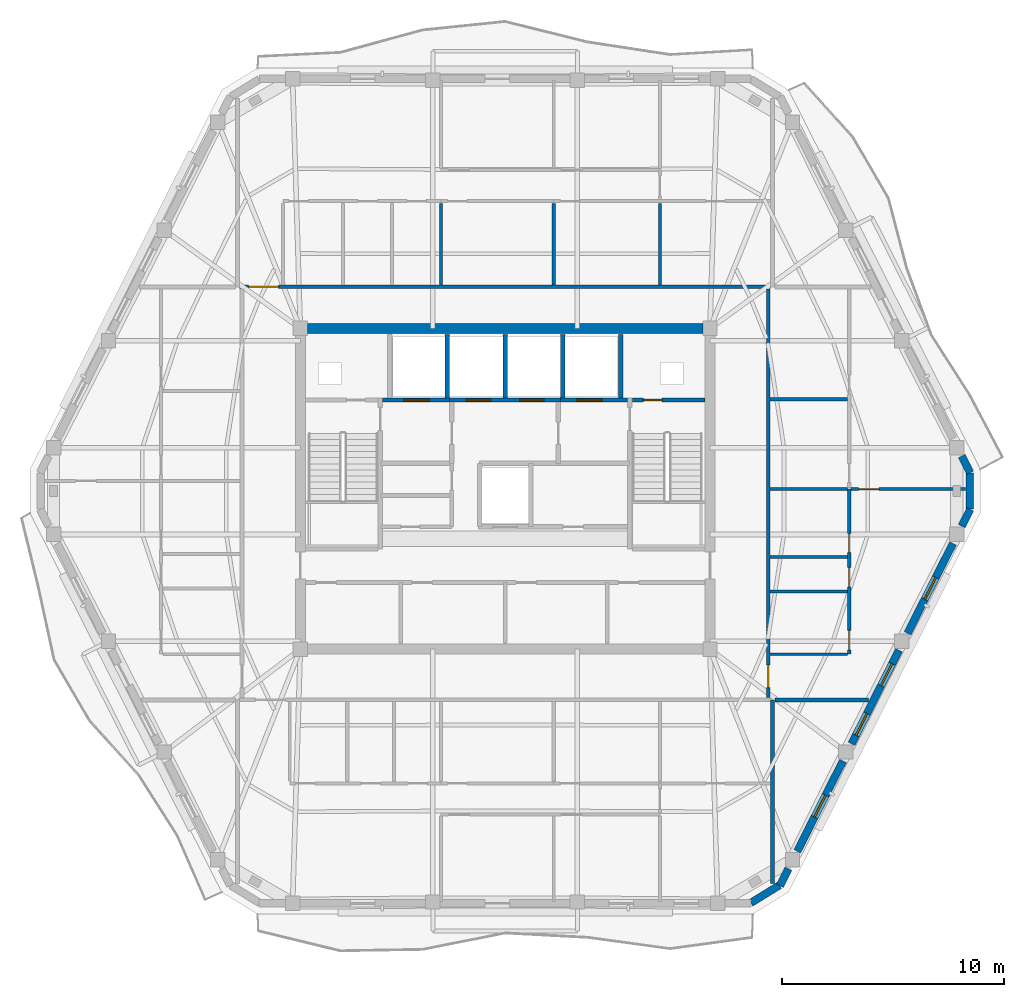
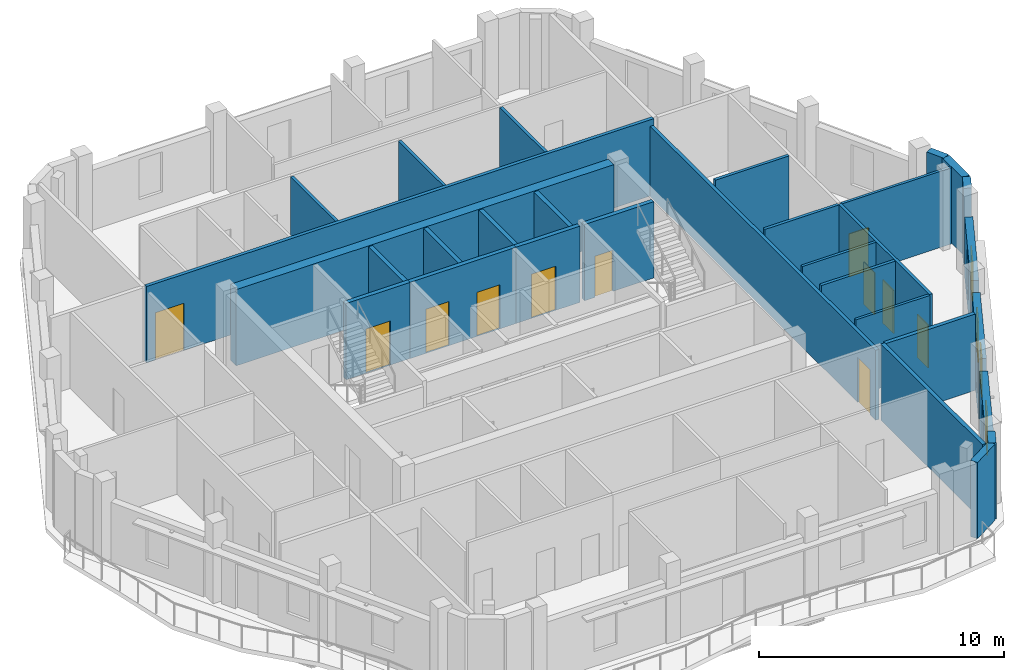
# One storey, part 6 of 11: 31 walls, 11 doors, 4 windows, 15 openings.
"""IFC4 building model written with IfcOpenShell, lengths in metres."""

from ifc_helpers import new_model, si_unit, direction, frame, frame_2d, origin, place, context, subcontext, project, spatial, rectangle, extrude, material, layer, layer_set, type_object, element, fill, save


model = new_model("IFC4")

# Units and contexts
model_context = context("Model", 3, precision=1e-05, world=origin(), true_north=direction((0.0, 1.0)))
body_context = subcontext(model_context, "Body", "Model", "MODEL_VIEW")
ifc_project = project(units=[si_unit("LENGTHUNIT", "METRE"), si_unit("AREAUNIT", "SQUARE_METRE"), si_unit("VOLUMEUNIT", "CUBIC_METRE"), si_unit("PLANEANGLEUNIT", "RADIAN"), si_unit("MASSUNIT", "GRAM", prefix="KILO")], contexts=[model_context])

# Site, building, storey
site_placement = place(None, origin())
site = spatial("IfcSite", under=ifc_project, at=site_placement, CompositionType="ELEMENT")
building_placement = place(site_placement, origin())
building = spatial("IfcBuilding", under=site, at=building_placement, Name="Cinnabar Lancet Tower", CompositionType="ELEMENT")
storey_placement = place(building_placement, frame((0.0, 0.0, 291.5)))
storey = spatial("IfcBuildingStorey", under=building, at=storey_placement, Name="L77", CompositionType="ELEMENT", Elevation=291.5)

# Wall, opening, door
ifc_material_1 = material(Name="Acoustic twin-stud gypsum partition", Category="gypsum")
ifc_layer_1 = layer(ifc_material_1, 0.159912109375)
ifc_layer_set_1 = layer_set([ifc_layer_1], Name="Acoustic twin-stud gypsum partition")
wall_type_1 = type_object("IfcWallType", Name="ARC-WL-CORR-160", PredefinedType="PARTITIONING", material=ifc_layer_set_1)
wall_1_placement = place(storey_placement, frame((20.445068359375, 35.0, 0.0), z_axis=(0.0, 0.0, 1.0), x_axis=(1.0, 0.0, 0.0)))
wall_1 = element("IfcWall", 1, at=wall_1_placement, inside=storey, type_object=wall_type_1, Name="L77 Unit N01 Corridor Wall", PredefinedType="PARTITIONING", context=body_context, shape_type="SweptSolid", body=[
    extrude(rectangle(XDim=23.909912109375, YDim=0.159912109375, at=frame_2d((11.955078125, 0.0))), origin(), (0.0, 0.0, 1.0), 3.800048828125),
])
opening_1_placement = place(wall_1_placement, frame((0.405029296875, 0.0, 0.0)))
opening_1 = element("IfcOpeningElement", 2, at=opening_1_placement, cuts=wall_1, Name="Opening UD-02", PredefinedType="OPENING", context=body_context, shape_type="SweptSolid", body=[
    extrude(rectangle(XDim=1.35009765625, YDim=2.35009765625, at=frame_2d((0.675048828125, 1.175048828125))), frame((0.0, 0.08984375, 0.0), z_axis=(0.0, -1.0, 0.0), x_axis=(1.0, 0.0, 0.0)), (0.0, 0.0, 1.0), 0.179931640625),
])
ifc_material_2 = material(Name="Double-leaf solid timber penthouse entrance door", Category="wood")
door_type_1 = type_object("IfcDoorType", Name="ARC-DR-UNIT-PH", OperationType="NOTDEFINED", PredefinedType="DOOR", material=ifc_material_2)
door_1_placement = place(opening_1_placement, origin())
door_1 = element("IfcDoor", 3, at=door_1_placement, inside=storey, type_object=door_type_1, Name="DR-L77-N01-ENT", OperationType="SINGLE_SWING_RIGHT", OverallHeight=2.35009765625, OverallWidth=1.35009765625, PredefinedType="DOOR", context=body_context, shape_type="SweptSolid", body=[
    extrude(rectangle(XDim=1.35009765625, YDim=2.35009765625, at=frame_2d((0.675048828125, 1.175048828125))), frame((0.0, 0.02490234375, 0.0), z_axis=(0.0, -1.0, 0.0), x_axis=(1.0, 0.0, 0.0)), (0.0, 0.0, 1.0), 0.050048828125),
])
fill(opening_1, door_1)

wall_2_placement = place(storey_placement, frame((44.25, 16.4951171875, 0.0), z_axis=(0.0, 0.0, 1.0), x_axis=(0.0, 1.0, 0.0)))
wall_2 = element("IfcWall", 4, at=wall_2_placement, inside=storey, type_object=wall_type_1, Name="UW-L77-E01-COR", PredefinedType="PARTITIONING", context=body_context, shape_type="SweptSolid", body=[
    extrude(rectangle(XDim=18.409912109375, YDim=0.159912109375, at=frame_2d((9.205078125, 0.0))), origin(), (0.0, 0.0, 1.0), 3.487060546875),
])
opening_2_placement = place(wall_2_placement, frame((0.449951171875, 0.0, 0.0)))
opening_2 = element("IfcOpeningElement", 5, at=opening_2_placement, cuts=wall_2, Name="Opening UD-01", PredefinedType="OPENING", context=body_context, shape_type="SweptSolid", body=[
    extrude(rectangle(XDim=1.02001953125, YDim=2.25, at=frame_2d((0.510009765625, 1.125))), frame((0.0, 0.08984375, 0.0), z_axis=(0.0, -1.0, 0.0), x_axis=(1.0, 0.0, 0.0)), (0.0, 0.0, 1.0), 0.179931640625),
])
ifc_material_3 = material(Name="Solid timber fire-rated apartment entrance door", Category="wood")
door_type_2 = type_object("IfcDoorType", Name="ARC-DR-UNIT", OperationType="NOTDEFINED", PredefinedType="DOOR", material=ifc_material_3)
door_2_placement = place(opening_2_placement, origin())
door_2 = element("IfcDoor", 6, at=door_2_placement, inside=storey, type_object=door_type_2, Name="DR-L77-E01-ENT", OperationType="SINGLE_SWING_RIGHT", OverallHeight=2.25, OverallWidth=1.02001953125, PredefinedType="DOOR", context=body_context, shape_type="SweptSolid", body=[
    extrude(rectangle(XDim=1.02001953125, YDim=2.25, at=frame_2d((0.510009765625, 1.125))), frame((0.0, 0.02490234375, 0.0), z_axis=(0.0, -1.0, 0.0), x_axis=(1.0, 0.0, 0.0)), (0.0, 0.0, 1.0), 0.050048828125),
])
fill(opening_2, door_2)

# Walls
ifc_material_4 = material(Name="Fire-rated twin-frame acoustic drywall", Category="gypsum")
ifc_layer_2 = layer(ifc_material_4, 0.179931640625)
ifc_layer_set_2 = layer_set([ifc_layer_2], Name="Fire-rated twin-frame acoustic drywall")
wall_type_2 = type_object("IfcWallType", Name="ARC-WL-PARTY-180", PredefinedType="PARTITIONING", material=ifc_layer_set_2)
wall_3_placement = place(storey_placement, frame((44.449951171875, 8.118896484375, 0.0), z_axis=(0.0, 0.0, 1.0), x_axis=(0.0, 1.0, 0.0)))
element("IfcWall", 7, at=wall_3_placement, inside=storey, type_object=wall_type_2, Name="PW-L77-SPTY-444", PredefinedType="PARTITIONING", context=body_context, shape_type="SweptSolid", body=[
    extrude(rectangle(XDim=8.281005859375, YDim=0.179931640625, at=frame_2d((4.140625, 0.0))), origin(), (0.0, 0.0, 1.0), 3.800048828125),
])
wall_4_placement = place(storey_placement, frame((44.544921875, 16.39990234375, 0.0), z_axis=(0.0, 0.0, 1.0), x_axis=(1.0, 0.0, 0.0)))
element("IfcWall", 8, at=wall_4_placement, inside=storey, type_object=wall_type_2, Name="PW-L77-ESB", PredefinedType="PARTITIONING", context=body_context, shape_type="SweptSolid", body=[
    extrude(rectangle(XDim=4.22119140625, YDim=0.179931640625, at=frame_2d((2.110595703125, 0.0))), origin(), (0.0, 0.0, 1.0), 3.800048828125),
])

# Wall, opening, door
ifc_material_5 = material(Name="Autoclaved aerated concrete blockwork", Category="masonry")
ifc_layer_3 = layer(ifc_material_5, 0.199951171875)
ifc_layer_set_3 = layer_set([ifc_layer_3], Name="Autoclaved aerated concrete blockwork")
wall_type_3 = type_object("IfcWallType", Name="ARC-WL-SHAFT-200", PredefinedType="PLUMBINGWALL", material=ifc_layer_set_3)
wall_5_placement = place(storey_placement, frame((26.885009765625, 29.89990234375, 0.0), z_axis=(0.0, 0.0, 1.0), x_axis=(1.0, 0.0, 0.0)))
wall_5 = element("IfcWall", 9, at=wall_5_placement, inside=storey, type_object=wall_type_3, Name="CW-FL1-L77", PredefinedType="PLUMBINGWALL", context=body_context, shape_type="SweptSolid", body=[
    extrude(rectangle(XDim=3.014892578125, YDim=0.199951171875, at=frame_2d((1.50732421875, 0.0))), origin(), (0.0, 0.0, 1.0), 3.800048828125),
])
opening_3_placement = place(wall_5_placement, frame((0.93994140625, 0.0, 0.0)))
opening_3 = element("IfcOpeningElement", 10, at=opening_3_placement, cuts=wall_5, Name="Opening LD-02", PredefinedType="OPENING", context=body_context, shape_type="SweptSolid", body=[
    extrude(rectangle(XDim=1.14990234375, YDim=2.199951171875, at=frame_2d((0.574951171875, 1.10009765625))), frame((0.0, 0.10986328125, 0.0), z_axis=(0.0, -1.0, 0.0), x_axis=(1.0, 0.0, 0.0)), (0.0, 0.0, 1.0), 0.219970703125),
])
ifc_material_6 = material(Name="Fire-rated stainless steel firefighting lift landing door", Category="steel")
door_type_3 = type_object("IfcDoorType", Name="ARC-DR-LD-FIRE", OperationType="NOTDEFINED", PredefinedType="DOOR", material=ifc_material_6)
door_3_placement = place(opening_3_placement, origin())
door_3 = element("IfcDoor", 11, at=door_3_placement, inside=storey, type_object=door_type_3, Name="L77 Firefighting Lift FL-1 Landing Door", OperationType="DOUBLE_DOOR_SLIDING", OverallHeight=2.199951171875, OverallWidth=1.14990234375, PredefinedType="DOOR", context=body_context, shape_type="SweptSolid", body=[
    extrude(rectangle(XDim=1.14990234375, YDim=2.199951171875, at=frame_2d((0.574951171875, 1.10009765625))), frame((0.0, 0.02490234375, 0.0), z_axis=(0.0, -1.0, 0.0), x_axis=(1.0, 0.0, 0.0)), (0.0, 0.0, 1.0), 0.050048828125),
])
fill(opening_3, door_3)

# Wall, openings, doors
wall_6_placement = place(storey_placement, frame((29.89990234375, 29.89990234375, 0.0), z_axis=(0.0, 0.0, 1.0), x_axis=(1.0, 0.0, 0.0)))
wall_6 = element("IfcWall", 12, at=wall_6_placement, inside=storey, type_object=wall_type_3, Name="CW-PL78-L77", PredefinedType="PLUMBINGWALL", context=body_context, shape_type="SweptSolid", body=[
    extrude(rectangle(XDim=5.0, YDim=0.199951171875, at=frame_2d((2.5, 0.0))), origin(), (0.0, 0.0, 1.0), 3.800048828125),
])
opening_4_placement = place(wall_6_placement, frame((0.75, 0.0, 0.0)))
opening_4 = element("IfcOpeningElement", 13, at=opening_4_placement, cuts=wall_6, Name="Opening LD-01", PredefinedType="OPENING", context=body_context, shape_type="SweptSolid", body=[
    extrude(rectangle(XDim=1.10009765625, YDim=2.199951171875, at=frame_2d((0.550048828125, 1.10009765625))), frame((0.0, 0.10986328125, 0.0), z_axis=(0.0, -1.0, 0.0), x_axis=(1.0, 0.0, 0.0)), (0.0, 0.0, 1.0), 0.219970703125),
])
opening_5_placement = place(wall_6_placement, frame((3.14990234375, 0.0, 0.0)))
opening_5 = element("IfcOpeningElement", 14, at=opening_5_placement, cuts=wall_6, Name="Opening LD-01", PredefinedType="OPENING", context=body_context, shape_type="SweptSolid", body=[
    extrude(rectangle(XDim=1.10009765625, YDim=2.199951171875, at=frame_2d((0.550048828125, 1.10009765625))), frame((0.0, 0.10986328125, 0.0), z_axis=(0.0, -1.0, 0.0), x_axis=(1.0, 0.0, 0.0)), (0.0, 0.0, 1.0), 0.219970703125),
])
ifc_material_7 = material(Name="Brushed stainless steel sliding lift door", Category="steel")
door_type_4 = type_object("IfcDoorType", Name="ARC-DR-LD-PASS", OperationType="NOTDEFINED", PredefinedType="DOOR", material=ifc_material_7)
door_4_placement = place(opening_4_placement, origin())
door_4 = element("IfcDoor", 15, at=door_4_placement, inside=storey, type_object=door_type_4, Name="L77 Lift PL-7 Landing Door", OperationType="DOUBLE_DOOR_SLIDING", OverallHeight=2.199951171875, OverallWidth=1.10009765625, PredefinedType="DOOR", context=body_context, shape_type="SweptSolid", body=[
    extrude(rectangle(XDim=1.10009765625, YDim=2.199951171875, at=frame_2d((0.550048828125, 1.10009765625))), frame((0.0, 0.02490234375, 0.0), z_axis=(0.0, -1.0, 0.0), x_axis=(1.0, 0.0, 0.0)), (0.0, 0.0, 1.0), 0.050048828125),
])
fill(opening_4, door_4)
door_5_placement = place(opening_5_placement, origin())
door_5 = element("IfcDoor", 16, at=door_5_placement, inside=storey, type_object=door_type_4, Name="L77 Lift PL-8 Landing Door", OperationType="DOUBLE_DOOR_SLIDING", OverallHeight=2.199951171875, OverallWidth=1.10009765625, PredefinedType="DOOR", context=body_context, shape_type="SweptSolid", body=[
    extrude(rectangle(XDim=1.10009765625, YDim=2.199951171875, at=frame_2d((0.550048828125, 1.10009765625))), frame((0.0, 0.02490234375, 0.0), z_axis=(0.0, -1.0, 0.0), x_axis=(1.0, 0.0, 0.0)), (0.0, 0.0, 1.0), 0.050048828125),
])
fill(opening_5, door_5)

# Wall, opening, door
wall_7_placement = place(storey_placement, frame((34.89990234375, 29.89990234375, 0.0), z_axis=(0.0, 0.0, 1.0), x_axis=(1.0, 0.0, 0.0)))
wall_7 = element("IfcWall", 17, at=wall_7_placement, inside=storey, type_object=wall_type_3, Name="CW-FL2-L77", PredefinedType="PLUMBINGWALL", context=body_context, shape_type="SweptSolid", body=[
    extrude(rectangle(XDim=3.01513671875, YDim=0.199951171875, at=frame_2d((1.507568359375, 0.0))), origin(), (0.0, 0.0, 1.0), 3.800048828125),
])
opening_6_placement = place(wall_7_placement, frame((0.72509765625, 0.0, 0.0)))
opening_6 = element("IfcOpeningElement", 18, at=opening_6_placement, cuts=wall_7, Name="Opening LD-02", PredefinedType="OPENING", context=body_context, shape_type="SweptSolid", body=[
    extrude(rectangle(XDim=1.14990234375, YDim=2.199951171875, at=frame_2d((0.574951171875, 1.10009765625))), frame((0.0, 0.10986328125, 0.0), z_axis=(0.0, -1.0, 0.0), x_axis=(1.0, 0.0, 0.0)), (0.0, 0.0, 1.0), 0.219970703125),
])
door_6_placement = place(opening_6_placement, origin())
door_6 = element("IfcDoor", 19, at=door_6_placement, inside=storey, type_object=door_type_3, Name="L77 Firefighting Lift FL-2 Landing Door", OperationType="DOUBLE_DOOR_SLIDING", OverallHeight=2.199951171875, OverallWidth=1.14990234375, PredefinedType="DOOR", context=body_context, shape_type="SweptSolid", body=[
    extrude(rectangle(XDim=1.14990234375, YDim=2.199951171875, at=frame_2d((0.574951171875, 1.10009765625))), frame((0.0, 0.02490234375, 0.0), z_axis=(0.0, -1.0, 0.0), x_axis=(1.0, 0.0, 0.0)), (0.0, 0.0, 1.0), 0.050048828125),
])
fill(opening_6, door_6)

wall_8_placement = place(storey_placement, frame((38.125, 29.89990234375, 0.0), z_axis=(0.0, 0.0, 1.0), x_axis=(1.0, 0.0, 0.0)))
wall_8 = element("IfcWall", 20, at=wall_8_placement, inside=storey, type_object=wall_type_3, Name="CW-NSH-E-L77", PredefinedType="PLUMBINGWALL", context=body_context, shape_type="SweptSolid", body=[
    extrude(rectangle(XDim=3.27001953125, YDim=0.199951171875, at=frame_2d((1.635009765625, 0.0))), origin(), (0.0, 0.0, 1.0), 3.800048828125),
])
opening_7_placement = place(wall_8_placement, frame((0.5, 0.0, 0.0)))
opening_7 = element("IfcOpeningElement", 21, at=opening_7_placement, cuts=wall_8, Name="Opening PD-02", PredefinedType="OPENING", context=body_context, shape_type="SweptSolid", body=[
    extrude(rectangle(XDim=0.85009765625, YDim=2.050048828125, at=frame_2d((0.425048828125, 1.02490234375))), frame((0.0, 0.10986328125, 0.0), z_axis=(0.0, -1.0, 0.0), x_axis=(1.0, 0.0, 0.0)), (0.0, 0.0, 1.0), 0.219970703125),
])
ifc_material_8 = material(Name="Fire-rated steel riser access door", Category="steel")
door_type_5 = type_object("IfcDoorType", Name="ARC-DR-RISER", OperationType="NOTDEFINED", PredefinedType="DOOR", material=ifc_material_8)
door_7_placement = place(opening_7_placement, origin())
door_7 = element("IfcDoor", 22, at=door_7_placement, inside=storey, type_object=door_type_5, Name="L77 East Riser Access Door", OperationType="SINGLE_SWING_RIGHT", OverallHeight=2.050048828125, OverallWidth=0.85009765625, PredefinedType="DOOR", context=body_context, shape_type="SweptSolid", body=[
    extrude(rectangle(XDim=0.85009765625, YDim=2.050048828125, at=frame_2d((0.425048828125, 1.02490234375))), frame((0.0, 0.02490234375, 0.0), z_axis=(0.0, -1.0, 0.0), x_axis=(1.0, 0.0, 0.0)), (0.0, 0.0, 1.0), 0.050048828125),
])
fill(opening_7, door_7)

# Walls
for number, where, z_axis, x_axis, name in (
    (23, (29.800048828125, 30.0, 0.0), (0.0, 0.0, 1.0), (0.0, 1.0, 0.0), "CW-NSH-D2-L77"),
    (24, (32.39990234375, 30.0, 0.0), (0.0, 0.0, 1.0), (0.0, 1.0, 0.0), "CW-NSH-D3-L77"),
    (25, (35.0, 30.0, 0.0), (0.0, 0.0, 1.0), (0.0, 1.0, 0.0), "CW-NSH-D4-L77"),
    (26, (37.60009765625, 30.0, 0.0), (0.0, 0.0, 1.0), (0.0, 1.0, 0.0), "CW-NSH-D5-L77"),
):
    element("IfcWall", number, at=place(storey_placement, frame(where, z_axis=z_axis, x_axis=x_axis)), inside=storey, type_object=wall_type_3, Name=name, PredefinedType="PLUMBINGWALL", context=body_context, shape_type="SweptSolid", body=[
        extrude(rectangle(XDim=2.85009765625, YDim=0.199951171875, at=frame_2d((1.425048828125, 0.0))), origin(), (0.0, 0.0, 1.0), 3.800048828125),
    ])
ifc_material_9 = material(Name="Gypsum plasterboard stud partition", Category="gypsum")
ifc_layer_4 = layer(ifc_material_9, 0.125)
ifc_layer_set_4 = layer_set([ifc_layer_4], Name="Gypsum plasterboard stud partition")
wall_type_4 = type_object("IfcWallType", Name="ARC-WL-UNIT-125", PredefinedType="PARTITIONING", material=ifc_layer_set_4)
wall_9_placement = place(storey_placement, frame((44.3349609375, 18.449951171875, 0.0), z_axis=(0.0, 0.0, 1.0), x_axis=(1.0, 0.0, 0.0)))
element("IfcWall", 27, at=wall_9_placement, inside=storey, type_object=wall_type_4, Name="UW-L77-E01-FOYN", PredefinedType="PARTITIONING", context=body_context, shape_type="SweptSolid", body=[
    extrude(rectangle(XDim=3.47998046875, YDim=0.125, at=frame_2d((1.739990234375, 0.0))), origin(), (0.0, 0.0, 1.0), 3.800048828125),
])

# Wall, opening, door
wall_10_placement = place(storey_placement, frame((47.97509765625, 25.885986328125, 0.0), z_axis=(0.0, 0.0, 1.0), x_axis=(1.0, 0.0, 0.0)))
wall_10 = element("IfcWall", 28, at=wall_10_placement, inside=storey, type_object=wall_type_4, Name="UW-L77-E01-MBN", PredefinedType="PARTITIONING", context=body_context, shape_type="SweptSolid", body=[
    extrude(rectangle(XDim=5.164794921875, YDim=0.125, at=frame_2d((2.58251953125, 0.0))), origin(), (0.0, 0.0, 1.0), 3.800048828125),
])
opening_8_placement = place(wall_10_placement, frame((0.35009765625, 0.0, 0.0)))
opening_8 = element("IfcOpeningElement", 29, at=opening_8_placement, cuts=wall_10, Name="Opening RD-01", PredefinedType="OPENING", context=body_context, shape_type="SweptSolid", body=[
    extrude(rectangle(XDim=0.919921875, YDim=2.14990234375, at=frame_2d((0.4599609375, 1.074951171875))), frame((0.0, 0.072509765625, 0.0), z_axis=(0.0, -1.0, 0.0), x_axis=(1.0, 0.0, 0.0)), (0.0, 0.0, 1.0), 0.14501953125),
])
ifc_material_10 = material(Name="Engineered timber bedroom door", Category="wood")
door_type_6 = type_object("IfcDoorType", Name="ARC-DR-ROOM", OperationType="NOTDEFINED", PredefinedType="DOOR", material=ifc_material_10)
door_8_placement = place(opening_8_placement, origin())
door_8 = element("IfcDoor", 30, at=door_8_placement, inside=storey, type_object=door_type_6, Name="DR-L77-E01-MBD", OperationType="SINGLE_SWING_RIGHT", OverallHeight=2.14990234375, OverallWidth=0.919921875, PredefinedType="DOOR", context=body_context, shape_type="SweptSolid", body=[
    extrude(rectangle(XDim=0.919921875, YDim=2.14990234375, at=frame_2d((0.4599609375, 1.074951171875))), frame((0.0, 0.02490234375, 0.0), z_axis=(0.0, -1.0, 0.0), x_axis=(1.0, 0.0, 0.0)), (0.0, 0.0, 1.0), 0.050048828125),
])
fill(opening_8, door_8)

# Walls
wall_11_placement = place(storey_placement, frame((44.3349609375, 22.825927734375, 0.0), z_axis=(0.0, 0.0, 1.0), x_axis=(1.0, 0.0, 0.0)))
element("IfcWall", 31, at=wall_11_placement, inside=storey, type_object=wall_type_4, Name="UW-L77-E01-UDV", PredefinedType="PARTITIONING", context=body_context, shape_type="SweptSolid", body=[
    extrude(rectangle(XDim=3.47998046875, YDim=0.125, at=frame_2d((1.739990234375, 0.0))), origin(), (0.0, 0.0, 1.0), 3.800048828125),
])
ifc_material_11 = material(Name="Moisture-resistant cement-board plumbing wall", Category="masonry")
ifc_layer_5 = layer(ifc_material_11, 0.139892578125)
ifc_layer_set_5 = layer_set([ifc_layer_5], Name="Moisture-resistant cement-board plumbing wall")
wall_type_5 = type_object("IfcWallType", Name="ARC-WL-WET-140", PredefinedType="PLUMBINGWALL", material=ifc_layer_set_5)
for number, where, z_axis, x_axis, name in (
    (32, (29.508056640625, 35.0849609375, 0.0), (0.0, 0.0, 1.0), (0.0, 1.0, 0.0), "UW-L77-N01-ENSW"),
    (33, (34.587890625, 35.0849609375, 0.0), (0.0, 0.0, 1.0), (0.0, 1.0, 0.0), "UW-L77-N01-ENSE"),
    (34, (39.3701171875, 35.0849609375, 0.0), (0.0, 0.0, 1.0), (0.0, 1.0, 0.0), "UW-L77-N01-UT3"),
):
    element("IfcWall", number, at=place(storey_placement, frame(where, z_axis=z_axis, x_axis=x_axis)), inside=storey, type_object=wall_type_5, Name=name, PredefinedType="PLUMBINGWALL", context=body_context, shape_type="SweptSolid", body=[
        extrude(rectangle(XDim=3.66796875, YDim=0.139892578125, at=frame_2d((1.833984375, 0.0))), origin(), (0.0, 0.0, 1.0), 3.800048828125),
    ])

# Wall, openings, doors
wall_12_placement = place(storey_placement, frame((47.89990234375, 18.449951171875, 0.0), z_axis=(0.0, 0.0, 1.0), x_axis=(0.0, 1.0, 0.0)))
wall_12 = element("IfcWall", 35, at=wall_12_placement, inside=storey, type_object=wall_type_5, Name="UW-L77-E01-SPL", PredefinedType="PLUMBINGWALL", context=body_context, shape_type="SweptSolid", body=[
    extrude(rectangle(XDim=7.43603515625, YDim=0.139892578125, at=frame_2d((3.718017578125, 0.0))), origin(), (0.0, 0.0, 1.0), 3.800048828125),
])
opening_9_placement = place(wall_12_placement, frame((0.199951171875, 0.0, 0.0)))
opening_9 = element("IfcOpeningElement", 36, at=opening_9_placement, cuts=wall_12, Name="Opening RD-02", PredefinedType="OPENING", context=body_context, shape_type="SweptSolid", body=[
    extrude(rectangle(XDim=0.8798828125, YDim=2.14990234375, at=frame_2d((0.43994140625, 1.074951171875))), frame((0.0, 0.079833984375, 0.0), z_axis=(0.0, -1.0, 0.0), x_axis=(1.0, 0.0, 0.0)), (0.0, 0.0, 1.0), 0.159912109375),
])
opening_10_placement = place(wall_12_placement, frame((3.02587890625, 0.0, 0.0)))
opening_10 = element("IfcOpeningElement", 37, at=opening_10_placement, cuts=wall_12, Name="Opening RD-02", PredefinedType="OPENING", context=body_context, shape_type="SweptSolid", body=[
    extrude(rectangle(XDim=0.8798828125, YDim=2.14990234375, at=frame_2d((0.43994140625, 1.074951171875))), frame((0.0, 0.079833984375, 0.0), z_axis=(0.0, -1.0, 0.0), x_axis=(1.0, 0.0, 0.0)), (0.0, 0.0, 1.0), 0.159912109375),
])
opening_11_placement = place(wall_12_placement, frame((4.575927734375, 0.0, 0.0)))
opening_11 = element("IfcOpeningElement", 38, at=opening_11_placement, cuts=wall_12, Name="Opening BD-01", PredefinedType="OPENING", context=body_context, shape_type="SweptSolid", body=[
    extrude(rectangle(XDim=0.860107421875, YDim=2.10009765625, at=frame_2d((0.43017578125, 1.050048828125))), frame((0.0, 0.079833984375, 0.0), z_axis=(0.0, -1.0, 0.0), x_axis=(1.0, 0.0, 0.0)), (0.0, 0.0, 1.0), 0.159912109375),
])
ifc_material_12 = material(Name="Moisture-resistant timber bathroom door", Category="wood")
door_type_7 = type_object("IfcDoorType", Name="ARC-DR-BATH", OperationType="NOTDEFINED", PredefinedType="DOOR", material=ifc_material_12)
door_9_placement = place(opening_11_placement, origin())
door_9 = element("IfcDoor", 39, at=door_9_placement, inside=storey, type_object=door_type_7, Name="DR-L77-E01-BTH", OperationType="SINGLE_SWING_LEFT", OverallHeight=2.10009765625, OverallWidth=0.860107421875, PredefinedType="DOOR", context=body_context, shape_type="SweptSolid", body=[
    extrude(rectangle(XDim=0.860107421875, YDim=2.10009765625, at=frame_2d((0.43017578125, 1.050048828125))), frame((0.0, 0.02490234375, 0.0), z_axis=(0.0, -1.0, 0.0), x_axis=(1.0, 0.0, 0.0)), (0.0, 0.0, 1.0), 0.050048828125),
])
fill(opening_11, door_9)
ifc_material_13 = material(Name="Engineered timber study door", Category="wood")
door_type_8 = type_object("IfcDoorType", Name="ARC-DR-STUDY", OperationType="NOTDEFINED", PredefinedType="DOOR", material=ifc_material_13)
door_10_placement = place(opening_9_placement, origin())
door_10 = element("IfcDoor", 40, at=door_10_placement, inside=storey, type_object=door_type_8, Name="DR-L77-E01-KIT", OperationType="SINGLE_SWING_LEFT", OverallHeight=2.14990234375, OverallWidth=0.8798828125, PredefinedType="DOOR", context=body_context, shape_type="SweptSolid", body=[
    extrude(rectangle(XDim=0.8798828125, YDim=2.14990234375, at=frame_2d((0.43994140625, 1.074951171875))), frame((0.0, 0.02490234375, 0.0), z_axis=(0.0, -1.0, 0.0), x_axis=(1.0, 0.0, 0.0)), (0.0, 0.0, 1.0), 0.050048828125),
])
fill(opening_9, door_10)
door_11_placement = place(opening_10_placement, origin())
door_11 = element("IfcDoor", 41, at=door_11_placement, inside=storey, type_object=door_type_8, Name="DR-L77-E01-UTL", OperationType="SINGLE_SWING_RIGHT", OverallHeight=2.14990234375, OverallWidth=0.8798828125, PredefinedType="DOOR", context=body_context, shape_type="SweptSolid", body=[
    extrude(rectangle(XDim=0.8798828125, YDim=2.14990234375, at=frame_2d((0.43994140625, 1.074951171875))), frame((0.0, 0.02490234375, 0.0), z_axis=(0.0, -1.0, 0.0), x_axis=(1.0, 0.0, 0.0)), (0.0, 0.0, 1.0), 0.050048828125),
])
fill(opening_10, door_11)

# Walls
for number, where, z_axis, x_axis, name in (
    (42, (44.3349609375, 25.885986328125, 0.0), (0.0, 0.0, 1.0), (1.0, 0.0, 0.0), "UW-L77-E01-ENSN"),
    (43, (44.3349609375, 21.27587890625, 0.0), (0.0, 0.0, 1.0), (1.0, 0.0, 0.0), "UW-L77-E01-KDV"),
    (44, (44.3349609375, 29.93310546875, 0.0), (0.0, 0.0, 1.0), (1.0, 0.0, 0.0), "UW-L77-E01-EWDV"),
):
    element("IfcWall", number, at=place(storey_placement, frame(where, z_axis=z_axis, x_axis=x_axis)), inside=storey, type_object=wall_type_5, Name=name, PredefinedType="PLUMBINGWALL", context=body_context, shape_type="SweptSolid", body=[
        extrude(rectangle(XDim=3.47998046875, YDim=0.139892578125, at=frame_2d((1.739990234375, 0.0))), origin(), (0.0, 0.0, 1.0), 3.800048828125),
    ])
ifc_material_14 = material(Name="Cinnabar red clay brick", Category="masonry")
ifc_layer_6 = layer(ifc_material_14, 0.340087890625)
ifc_layer_set_6 = layer_set([ifc_layer_6], Name="Cinnabar red clay brick")
wall_type_6 = type_object("IfcWallType", Name="ENV-WL-BRK-RED-340", PredefinedType="STANDARD", material=ifc_layer_set_6)
wall_13_placement = place(storey_placement, frame((43.468994140625, 7.2548828125, 0.0), z_axis=(0.0, 0.0, 1.0), x_axis=(0.851680557619, 0.52406128246, 0.0)))
element("IfcWall", 45, at=wall_13_placement, inside=storey, type_object=wall_type_6, Name="L77 Chamfered Corner Brick Pier 2.1", PredefinedType="STANDARD", context=body_context, shape_type="SweptSolid", body=[
    extrude(rectangle(XDim=1.507568359375, YDim=0.340087890625, at=frame_2d((0.75390625, 0.0))), origin(), (0.0, 0.0, 1.0), 3.800048828125),
])
wall_14_placement = place(storey_placement, frame((53.322998046875, 24.97998046875, 0.0), z_axis=(0.0, 0.0, 1.0), x_axis=(0.0, 1.0, 0.0)))
element("IfcWall", 46, at=wall_14_placement, inside=storey, type_object=wall_type_6, Name="L77 Chamfered Corner Brick Pier 3.1", PredefinedType="STANDARD", context=body_context, shape_type="SweptSolid", body=[
    extrude(rectangle(XDim=1.64013671875, YDim=0.340087890625, at=frame_2d((0.820068359375, 0.0))), origin(), (0.0, 0.0, 1.0), 3.800048828125),
])
wall_15_placement = place(storey_placement, frame((44.77294921875, 8.029052734375, 0.0), z_axis=(0.0, 0.0, 1.0), x_axis=(0.451907025977, 0.8920650424, 0.0)))
element("IfcWall", 47, at=wall_15_placement, inside=storey, type_object=wall_type_6, Name="L77 Face 2 Masonry Bay Wall 1", PredefinedType="STANDARD", context=body_context, shape_type="SweptSolid", body=[
    extrude(rectangle(XDim=0.85205078125, YDim=0.340087890625, at=frame_2d((0.426025390625, 0.0))), origin(), (0.0, 0.0, 1.0), 3.800048828125),
])

# Wall, opening, window
wall_16_placement = place(storey_placement, frame((45.555908203125, 9.576904296875, 0.0), z_axis=(0.0, 0.0, 1.0), x_axis=(0.45154039276, 0.892250678737, 0.0)))
wall_16 = element("IfcWall", 48, at=wall_16_placement, inside=storey, type_object=wall_type_6, Name="L77 Face 2 Masonry Bay Wall 2", PredefinedType="STANDARD", context=body_context, shape_type="SweptSolid", body=[
    extrude(rectangle(XDim=4.5537109375, YDim=0.340087890625, at=frame_2d((2.27685546875, 0.0))), origin(), (0.0, 0.0, 1.0), 2.989990234375),
])
opening_12_placement = place(wall_16_placement, frame((1.72705078125, 0.0, 0.75)))
opening_12 = element("IfcOpeningElement", 49, at=opening_12_placement, cuts=wall_16, Name="Opening WN-04", PredefinedType="OPENING", context=body_context, shape_type="SweptSolid", body=[
    extrude(rectangle(XDim=1.10009765625, YDim=2.0, at=frame_2d((0.550048828125, 1.0))), frame((0.0, 0.179931640625, 0.0), z_axis=(0.0, -1.0, 0.0), x_axis=(1.0, 0.0, 0.0)), (0.0, 0.0, 1.0), 0.360107421875),
])
ifc_material_15 = material(Name="Thermally broken bronze-anodized aluminium tall lancet window", Category="aluminium")
window_type = type_object("IfcWindowType", Name="ENV-WN-LANCET-1100", PartitioningType="SINGLE_PANEL", PredefinedType="WINDOW", material=ifc_material_15)
window_1_placement = place(opening_12_placement, origin())
window_1 = element("IfcWindow", 50, at=window_1_placement, inside=storey, type_object=window_type, Name="L77 Face 2 Gothic Lancet Window 2", OverallHeight=2.0, OverallWidth=1.10009765625, PartitioningType="SINGLE_PANEL", PredefinedType="WINDOW", context=body_context, shape_type="SweptSolid", body=[
    extrude(rectangle(XDim=1.10009765625, YDim=2.0, at=frame_2d((0.550048828125, 1.0))), frame((0.0, 0.030029296875, 0.0), z_axis=(0.0, -1.0, 0.0), x_axis=(1.0, 0.0, 0.0)), (0.0, 0.0, 1.0), 0.06005859375),
])
fill(opening_12, window_1)

# Wall, openings, windows
wall_17_placement = place(storey_placement, frame((48.001953125, 14.4130859375, 0.0), z_axis=(0.0, 0.0, 1.0), x_axis=(0.451468341582, 0.892287137949, 0.0)))
wall_17 = element("IfcWall", 51, at=wall_17_placement, inside=storey, type_object=wall_type_6, Name="L77 Face 2 Masonry Bay Wall 3", PredefinedType="STANDARD", context=body_context, shape_type="SweptSolid", body=[
    extrude(rectangle(XDim=4.72265625, YDim=0.340087890625, at=frame_2d((2.361328125, 0.0))), origin(), (0.0, 0.0, 1.0), 2.989990234375),
])
opening_13_placement = place(wall_17_placement, frame((0.43408203125, 0.0, 0.75)))
opening_13 = element("IfcOpeningElement", 52, at=opening_13_placement, cuts=wall_17, Name="Opening WN-04", PredefinedType="OPENING", context=body_context, shape_type="SweptSolid", body=[
    extrude(rectangle(XDim=1.10009765625, YDim=2.0, at=frame_2d((0.550048828125, 1.0))), frame((0.0, 0.179931640625, 0.0), z_axis=(0.0, -1.0, 0.0), x_axis=(1.0, 0.0, 0.0)), (0.0, 0.0, 1.0), 0.360107421875),
])
opening_14_placement = place(wall_17_placement, frame((2.946044921875, 0.0, 0.75)))
opening_14 = element("IfcOpeningElement", 53, at=opening_14_placement, cuts=wall_17, Name="Opening WN-04", PredefinedType="OPENING", context=body_context, shape_type="SweptSolid", body=[
    extrude(rectangle(XDim=1.10009765625, YDim=2.0, at=frame_2d((0.550048828125, 1.0))), frame((0.0, 0.179931640625, 0.0), z_axis=(0.0, -1.0, 0.0), x_axis=(1.0, 0.0, 0.0)), (0.0, 0.0, 1.0), 0.360107421875),
])
window_2_placement = place(opening_13_placement, origin())
window_2 = element("IfcWindow", 54, at=window_2_placement, inside=storey, type_object=window_type, Name="L77 Face 2 Gothic Lancet Window 3", OverallHeight=2.0, OverallWidth=1.10009765625, PartitioningType="SINGLE_PANEL", PredefinedType="WINDOW", context=body_context, shape_type="SweptSolid", body=[
    extrude(rectangle(XDim=1.10009765625, YDim=2.0, at=frame_2d((0.550048828125, 1.0))), frame((0.0, 0.030029296875, 0.0), z_axis=(0.0, -1.0, 0.0), x_axis=(1.0, 0.0, 0.0)), (0.0, 0.0, 1.0), 0.06005859375),
])
fill(opening_13, window_2)
window_3_placement = place(opening_14_placement, origin())
window_3 = element("IfcWindow", 55, at=window_3_placement, inside=storey, type_object=window_type, Name="L77 Split-Bay Gothic Lancet Window 289", OverallHeight=2.0, OverallWidth=1.10009765625, PartitioningType="SINGLE_PANEL", PredefinedType="WINDOW", context=body_context, shape_type="SweptSolid", body=[
    extrude(rectangle(XDim=1.10009765625, YDim=2.0, at=frame_2d((0.550048828125, 1.0))), frame((0.0, 0.030029296875, 0.0), z_axis=(0.0, -1.0, 0.0), x_axis=(1.0, 0.0, 0.0)), (0.0, 0.0, 1.0), 0.06005859375),
])
fill(opening_14, window_3)

# Wall, opening, window
wall_18_placement = place(storey_placement, frame((50.52294921875, 19.39697265625, 0.0), z_axis=(0.0, 0.0, 1.0), x_axis=(0.45147697324, 0.892282770558, 0.0)))
wall_18 = element("IfcWall", 56, at=wall_18_placement, inside=storey, type_object=wall_type_6, Name="L77 Face 2 Masonry Bay Wall 4", PredefinedType="STANDARD", context=body_context, shape_type="SweptSolid", body=[
    extrude(rectangle(XDim=4.530029296875, YDim=0.340087890625, at=frame_2d((2.26513671875, 0.0))), origin(), (0.0, 0.0, 1.0), 2.989990234375),
])
opening_15_placement = place(wall_18_placement, frame((1.715087890625, 0.0, 0.75)))
opening_15 = element("IfcOpeningElement", 57, at=opening_15_placement, cuts=wall_18, Name="Opening WN-04", PredefinedType="OPENING", context=body_context, shape_type="SweptSolid", body=[
    extrude(rectangle(XDim=1.10009765625, YDim=2.0, at=frame_2d((0.550048828125, 1.0))), frame((0.0, 0.179931640625, 0.0), z_axis=(0.0, -1.0, 0.0), x_axis=(1.0, 0.0, 0.0)), (0.0, 0.0, 1.0), 0.360107421875),
])
window_4_placement = place(opening_15_placement, origin())
window_4 = element("IfcWindow", 58, at=window_4_placement, inside=storey, type_object=window_type, Name="L77 Face 2 Gothic Lancet Window 4", OverallHeight=2.0, OverallWidth=1.10009765625, PartitioningType="SINGLE_PANEL", PredefinedType="WINDOW", context=body_context, shape_type="SweptSolid", body=[
    extrude(rectangle(XDim=1.10009765625, YDim=2.0, at=frame_2d((0.550048828125, 1.0))), frame((0.0, 0.030029296875, 0.0), z_axis=(0.0, -1.0, 0.0), x_axis=(1.0, 0.0, 0.0)), (0.0, 0.0, 1.0), 0.06005859375),
])
fill(opening_15, window_4)

# Walls
wall_19_placement = place(storey_placement, frame((52.965087890625, 24.22412109375, 0.0), z_axis=(0.0, 0.0, 1.0), x_axis=(0.4515140893, 0.892263989615, 0.0)))
element("IfcWall", 59, at=wall_19_placement, inside=storey, type_object=wall_type_6, Name="L77 Face 2 Masonry Bay Wall 5", PredefinedType="STANDARD", context=body_context, shape_type="SweptSolid", body=[
    extrude(rectangle(XDim=0.839111328125, YDim=0.340087890625, at=frame_2d((0.41943359375, 0.0))), origin(), (0.0, 0.0, 1.0), 3.800048828125),
])
wall_20_placement = place(storey_placement, frame((53.343994140625, 26.626953125, 0.0), z_axis=(0.0, 0.0, 1.0), x_axis=(-0.45139691133, 0.892323275748, 0.0)))
element("IfcWall", 60, at=wall_20_placement, inside=storey, type_object=wall_type_6, Name="L77 Face 3 Masonry Bay Wall 1", PredefinedType="STANDARD", context=body_context, shape_type="SweptSolid", body=[
    extrude(rectangle(XDim=0.83935546875, YDim=0.340087890625, at=frame_2d((0.419677734375, 0.0))), origin(), (0.0, 0.0, 1.0), 3.800048828125),
])
ifc_material_16 = material(Name="Concrete C50/60", Category="concrete")
ifc_layer_7 = layer(ifc_material_16, 0.449951171875)
ifc_layer_set_7 = layer_set([ifc_layer_7], Name="Concrete C50/60")
wall_type_7 = type_object("IfcWallType", Name="STR-WL-CORE-450", PredefinedType="SHEAR", material=ifc_layer_set_7)
wall_21_placement = place(storey_placement, frame((23.5, 33.125, 0.0), z_axis=(0.0, 0.0, 1.0), x_axis=(1.0, 0.0, 0.0)))
element("IfcWall", 61, at=wall_21_placement, inside=storey, type_object=wall_type_7, Name="L77 Core Shear Wall N", PredefinedType="SHEAR", context=body_context, shape_type="SweptSolid", body=[
    extrude(rectangle(XDim=17.800048828125, YDim=0.449951171875, at=frame_2d((8.89990234375, 0.0))), origin(), (0.0, 0.0, 1.0), 3.800048828125),
])

save(model, "model.ifc")
